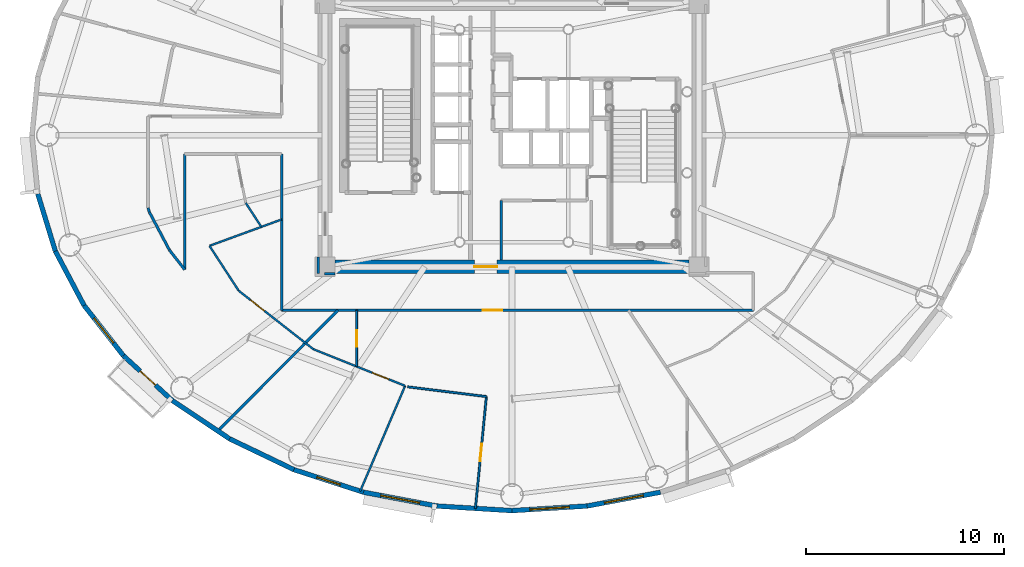
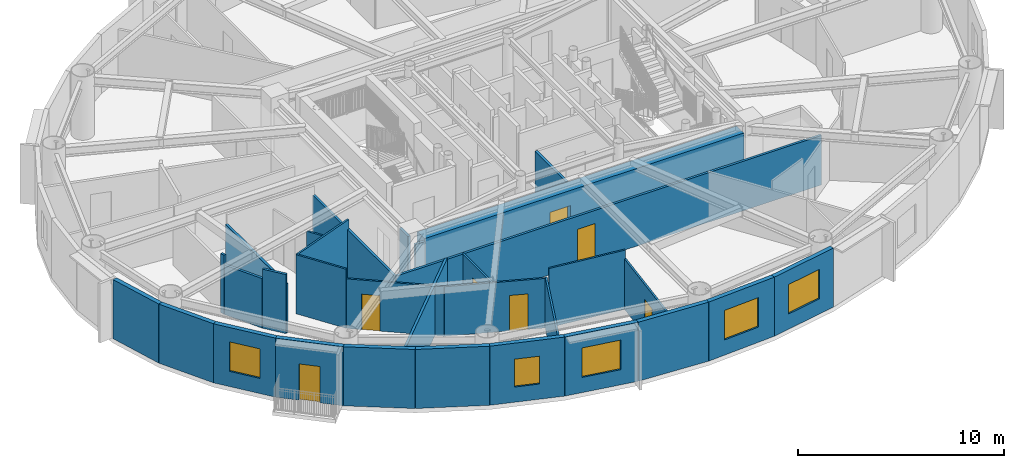
# One storey, part 8 of 19: 31 walls, 7 doors, 5 windows, 12 openings.
"""IFC4 building model written with IfcOpenShell, lengths in metres."""

from ifc_helpers import new_model, si_unit, direction, frame, frame_2d, origin, origin_2d, place, context, subcontext, project, spatial, rectangle, extrude, source, transform, mapped, material, layer, layer_set, type_object, element, fill, save


model = new_model("IFC4")

# Units and contexts
model_context = context("Model", 3, precision=1e-05, world=origin(), true_north=direction((0.0, 1.0)))
body_context = subcontext(model_context, "Body", "Model", "MODEL_VIEW")
ifc_project = project(units=[si_unit("LENGTHUNIT", "METRE"), si_unit("AREAUNIT", "SQUARE_METRE"), si_unit("VOLUMEUNIT", "CUBIC_METRE"), si_unit("PLANEANGLEUNIT", "RADIAN"), si_unit("MASSUNIT", "GRAM", prefix="KILO")], contexts=[model_context])

# Site, building, storey
site_placement = place(None, origin())
site = spatial("IfcSite", under=ifc_project, at=site_placement, CompositionType="ELEMENT")
building_placement = place(site_placement, origin())
building = spatial("IfcBuilding", under=site, at=building_placement, Name="Linh Dai School and Residence Tower", CompositionType="ELEMENT")
storey_placement = place(building_placement, frame((0.0, 0.0, 247.800048828125)))
storey = spatial("IfcBuildingStorey", under=building, at=storey_placement, Name="L61", CompositionType="ELEMENT", Elevation=247.800048828125)

# Walls
ifc_material_1 = material(Name="Precast Concrete B45 (C35/45)", Category="concrete")
ifc_layer_1 = layer(ifc_material_1, 0.239990234375)
ifc_layer_set_1 = layer_set([ifc_layer_1], Name="Precast Concrete B45 (C35/45)")
wall_type_1 = type_object("IfcWallType", Name="EW-TC-240", PredefinedType="SOLIDWALL", material=ifc_layer_set_1)
wall_1_placement = place(storey_placement, frame((12.90966796875, 21.14404296875, 0.0), z_axis=(0.0, 0.0, 1.0), x_axis=(-0.293132907334, 0.95607170162, 0.0)))
element("IfcWall", 1, at=wall_1_placement, inside=storey, type_object=wall_type_1, Name="L61 Terracotta Exterior Wall 22", PredefinedType="SOLIDWALL", context=body_context, shape_type="SweptSolid", body=[
    extrude(rectangle(XDim=3.02490234375, YDim=0.239990234375, at=frame_2d((1.512451171875, 0.0))), origin(), (0.0, 0.0, 1.0), 3.5),
])
wall_2_placement = place(storey_placement, frame((14.3642578125, 18.394775390625, 0.0), z_axis=(0.0, 0.0, 1.0), x_axis=(-0.46766049993, 0.883908172157, 0.0)))
element("IfcWall", 2, at=wall_2_placement, inside=storey, type_object=wall_type_1, Name="L61 Terracotta Exterior Wall 23", PredefinedType="SOLIDWALL", context=body_context, shape_type="SweptSolid", body=[
    extrude(rectangle(XDim=3.1103515625, YDim=0.239990234375, at=frame_2d((1.55517578125, 0.0))), origin(), (0.0, 0.0, 1.0), 3.5),
])

# Wall, opening, window
wall_3_placement = place(storey_placement, frame((16.3515625, 15.85546875, 0.0), z_axis=(0.0, 0.0, 1.0), x_axis=(-0.616312344705, 0.787501805562, 0.0)))
wall_3 = element("IfcWall", 3, at=wall_3_placement, inside=storey, type_object=wall_type_1, Name="L61 Terracotta Exterior Wall 24", PredefinedType="SOLIDWALL", context=body_context, shape_type="SweptSolid", body=[
    extrude(rectangle(XDim=3.224609375, YDim=0.239990234375, at=frame_2d((1.6123046875, 0.0))), origin(), (0.0, 0.0, 1.0), 3.5),
])
opening_1_placement = place(wall_3_placement, frame((0.81201171875, 0.0, 0.89990234375)))
opening_1 = element("IfcOpeningElement", 4, at=opening_1_placement, cuts=wall_3, Name="Opening W2", PredefinedType="OPENING", context=body_context, shape_type="SweptSolid", body=[
    extrude(rectangle(XDim=1.60009765625, YDim=1.75, at=origin_2d()), frame((0.800048828125, 0.1298828125, 0.875), z_axis=(0.0, -1.0, 0.0), x_axis=(1.0, 0.0, 0.0)), (0.0, 0.0, 1.0), 0.260009765625),
])
ifc_material_2 = material(Name="Double Low-E Insulated Glazing", Category="glass")
window_type_1 = type_object("IfcWindowType", Name="WN-RES-1600x1750", PartitioningType="DOUBLE_PANEL_VERTICAL", PredefinedType="WINDOW", material=ifc_material_2)
shared_shape_1 = source(origin(), body_context, "Body", "SweptSolid", [
    extrude(rectangle(XDim=1.60009765625, YDim=1.75, at=origin_2d()), frame((0.800048828125, 0.030029296875, 0.875), z_axis=(0.0, -1.0, 0.0), x_axis=(1.0, 0.0, 0.0)), (0.0, 0.0, 1.0), 0.06005859375),
])
window_1_placement = place(opening_1_placement, origin())
window_1 = element("IfcWindow", 5, at=window_1_placement, inside=storey, type_object=window_type_1, Name="L61 Exterior Window 24.1", OverallHeight=1.75, OverallWidth=1.60009765625, PartitioningType="DOUBLE_PANEL_VERTICAL", PredefinedType="WINDOW", context=body_context, shape_type="MappedRepresentation", body=[
    mapped(shared_shape_1, transform((0.0, 0.0, 0.0), x_axis=(1.0, 0.0, 0.0), y_axis=(0.0, 1.0, 0.0), z_axis=(0.0, 0.0, 1.0), scale=1.0)),
])
fill(opening_1, window_1)

# Wall, opening, door
wall_4_placement = place(storey_placement, frame((18.82373046875, 13.589111328125, 0.0), z_axis=(0.0, 0.0, 1.0), x_axis=(-0.737123922599, 0.675757591694, 0.0)))
wall_4 = element("IfcWall", 6, at=wall_4_placement, inside=storey, type_object=wall_type_1, Name="L61 Terracotta Exterior Wall 25", PredefinedType="SOLIDWALL", context=body_context, shape_type="SweptSolid", body=[
    extrude(rectangle(XDim=3.353759765625, YDim=0.239990234375, at=frame_2d((1.6767578125, 0.0))), origin(), (0.0, 0.0, 1.0), 3.5),
])
opening_2_placement = place(wall_4_placement, frame((1.15185546875, 0.0, 0.0)))
opening_2 = element("IfcOpeningElement", 7, at=opening_2_placement, cuts=wall_4, Name="Opening BD1", PredefinedType="OPENING", context=body_context, shape_type="SweptSolid", body=[
    extrude(rectangle(XDim=1.050048828125, YDim=2.14990234375, at=origin_2d()), frame((0.52490234375, 0.1298828125, 1.074951171875), z_axis=(0.0, -1.0, 0.0), x_axis=(1.0, 0.0, 0.0)), (0.0, 0.0, 1.0), 0.260009765625),
])
ifc_material_3 = material(Name="Double-Glazed Balcony Door", Category="glass")
door_type_1 = type_object("IfcDoorType", Name="DR-BALC-1050x2150", OperationType="NOTDEFINED", PredefinedType="DOOR", material=ifc_material_3)
shared_shape_2 = source(origin(), body_context, "Body", "SweptSolid", [
    extrude(rectangle(XDim=1.050048828125, YDim=2.14990234375, at=origin_2d()), frame((0.52490234375, 0.02490234375, 1.074951171875), z_axis=(0.0, -1.0, 0.0), x_axis=(1.0, 0.0, 0.0)), (0.0, 0.0, 1.0), 0.050048828125),
])
door_1_placement = place(opening_2_placement, origin())
door_1 = element("IfcDoor", 8, at=door_1_placement, inside=storey, type_object=door_type_1, Name="L61 Glazed Balcony Door 25", OperationType="SINGLE_SWING_RIGHT", OverallHeight=2.14990234375, OverallWidth=1.050048828125, PredefinedType="DOOR", context=body_context, shape_type="MappedRepresentation", body=[
    mapped(shared_shape_2, transform((0.0, 0.0, 0.0), x_axis=(1.0, 0.0, 0.0), y_axis=(0.0, 1.0, 0.0), z_axis=(0.0, 0.0, 1.0), scale=1.0)),
])
fill(opening_2, door_1)

# Walls
wall_5_placement = place(storey_placement, frame((21.719970703125, 11.65234375, 0.0), z_axis=(0.0, 0.0, 1.0), x_axis=(-0.831262496074, 0.555880079352, 0.0)))
element("IfcWall", 9, at=wall_5_placement, inside=storey, type_object=wall_type_1, Name="L61 Terracotta Exterior Wall 26", PredefinedType="SOLIDWALL", context=body_context, shape_type="SweptSolid", body=[
    extrude(rectangle(XDim=3.484130859375, YDim=0.239990234375, at=frame_2d((1.7421875, 0.0))), origin(), (0.0, 0.0, 1.0), 3.5),
])
wall_6_placement = place(storey_placement, frame((24.968994140625, 10.093505859375, 0.0), z_axis=(0.0, 0.0, 1.0), x_axis=(-0.901598104751, 0.432574684313, 0.0)))
element("IfcWall", 10, at=wall_6_placement, inside=storey, type_object=wall_type_1, Name="L61 Terracotta Exterior Wall 27", PredefinedType="SOLIDWALL", context=body_context, shape_type="SweptSolid", body=[
    extrude(rectangle(XDim=3.603515625, YDim=0.239990234375, at=frame_2d((1.8017578125, 0.0))), origin(), (0.0, 0.0, 1.0), 3.5),
])

# Wall, opening, window
wall_7_placement = place(storey_placement, frame((28.49072265625, 8.951171875, 0.0), z_axis=(0.0, 0.0, 1.0), x_axis=(-0.951210789182, 0.308541787354, 0.0)))
wall_7 = element("IfcWall", 11, at=wall_7_placement, inside=storey, type_object=wall_type_1, Name="L61 Terracotta Exterior Wall 28", PredefinedType="SOLIDWALL", context=body_context, shape_type="SweptSolid", body=[
    extrude(rectangle(XDim=3.702392578125, YDim=0.239990234375, at=frame_2d((1.85107421875, 0.0))), origin(), (0.0, 0.0, 1.0), 3.5),
])
opening_3_placement = place(wall_7_placement, frame((1.226318359375, 0.0, 0.89990234375)))
opening_3 = element("IfcOpeningElement", 12, at=opening_3_placement, cuts=wall_7, Name="Opening W3", PredefinedType="OPENING", context=body_context, shape_type="SweptSolid", body=[
    extrude(rectangle(XDim=1.25, YDim=1.64990234375, at=origin_2d()), frame((0.625, 0.1298828125, 0.824951171875), z_axis=(0.0, -1.0, 0.0), x_axis=(1.0, 0.0, 0.0)), (0.0, 0.0, 1.0), 0.260009765625),
])
window_type_2 = type_object("IfcWindowType", Name="WN-RES-1250x1650", PartitioningType="SINGLE_PANEL", PredefinedType="WINDOW", material=ifc_material_2)
shared_shape_3 = source(origin(), body_context, "Body", "SweptSolid", [
    extrude(rectangle(XDim=1.25, YDim=1.64990234375, at=origin_2d()), frame((0.625, 0.030029296875, 0.824951171875), z_axis=(0.0, -1.0, 0.0), x_axis=(1.0, 0.0, 0.0)), (0.0, 0.0, 1.0), 0.06005859375),
])
window_2_placement = place(opening_3_placement, origin())
window_2 = element("IfcWindow", 13, at=window_2_placement, inside=storey, type_object=window_type_2, Name="L61 Dwelling Window U6102-BD1", OverallHeight=1.64990234375, OverallWidth=1.25, PartitioningType="SINGLE_PANEL", PredefinedType="WINDOW", context=body_context, shape_type="MappedRepresentation", body=[
    mapped(shared_shape_3, transform((0.0, 0.0, 0.0), x_axis=(1.0, 0.0, 0.0), y_axis=(0.0, 1.0, 0.0), z_axis=(0.0, 0.0, 1.0), scale=1.0)),
])
fill(opening_3, window_2)

wall_8_placement = place(storey_placement, frame((32.198486328125, 8.254150390625, 0.0), z_axis=(0.0, 0.0, 1.0), x_axis=(-0.982784898575, 0.184753465822, 0.0)))
wall_8 = element("IfcWall", 14, at=wall_8_placement, inside=storey, type_object=wall_type_1, Name="L61 Terracotta Exterior Wall 29", PredefinedType="SOLIDWALL", context=body_context, shape_type="SweptSolid", body=[
    extrude(rectangle(XDim=3.772705078125, YDim=0.239990234375, at=frame_2d((1.88623046875, 0.0))), origin(), (0.0, 0.0, 1.0), 3.5),
])
opening_4_placement = place(wall_8_placement, frame((0.88623046875, 0.0, 0.89990234375)))
opening_4 = element("IfcOpeningElement", 15, at=opening_4_placement, cuts=wall_8, Name="Opening W1", PredefinedType="OPENING", context=body_context, shape_type="SweptSolid", body=[
    extrude(rectangle(XDim=2.0, YDim=1.75, at=origin_2d()), frame((1.0, 0.1298828125, 0.875), z_axis=(0.0, -1.0, 0.0), x_axis=(1.0, 0.0, 0.0)), (0.0, 0.0, 1.0), 0.260009765625),
])
window_type_3 = type_object("IfcWindowType", Name="WN-RES-2000x1750", PartitioningType="DOUBLE_PANEL_VERTICAL", PredefinedType="WINDOW", material=ifc_material_2)
shared_shape_4 = source(origin(), body_context, "Body", "SweptSolid", [
    extrude(rectangle(XDim=2.0, YDim=1.75, at=origin_2d()), frame((1.0, 0.030029296875, 0.875), z_axis=(0.0, -1.0, 0.0), x_axis=(1.0, 0.0, 0.0)), (0.0, 0.0, 1.0), 0.06005859375),
])
window_3_placement = place(opening_4_placement, origin())
window_3 = element("IfcWindow", 16, at=window_3_placement, inside=storey, type_object=window_type_3, Name="L61 Exterior Window 29.1", OverallHeight=1.75, OverallWidth=2.0, PartitioningType="DOUBLE_PANEL_VERTICAL", PredefinedType="WINDOW", context=body_context, shape_type="MappedRepresentation", body=[
    mapped(shared_shape_4, transform((0.0, 0.0, 0.0), x_axis=(1.0, 0.0, 0.0), y_axis=(0.0, 1.0, 0.0), z_axis=(0.0, 0.0, 1.0), scale=1.0)),
])
fill(opening_4, window_3)

# Wall
wall_9_placement = place(storey_placement, frame((36.0, 8.02001953125, 0.0), z_axis=(0.0, 0.0, 1.0), x_axis=(-0.998108785312, 0.06147237333, 0.0)))
element("IfcWall", 17, at=wall_9_placement, inside=storey, type_object=wall_type_1, Name="L61 Terracotta Exterior Wall 30", PredefinedType="SOLIDWALL", context=body_context, shape_type="SweptSolid", body=[
    extrude(rectangle(XDim=3.808837890625, YDim=0.239990234375, at=frame_2d((1.904296875, 0.0))), origin(), (0.0, 0.0, 1.0), 3.5),
])

# Wall, opening, window
wall_10_placement = place(storey_placement, frame((39.801513671875, 8.254150390625, 0.0), z_axis=(0.0, 0.0, 1.0), x_axis=(-0.998108785312, -0.06147237333, 0.0)))
wall_10 = element("IfcWall", 18, at=wall_10_placement, inside=storey, type_object=wall_type_1, Name="L61 Terracotta Exterior Wall 31", PredefinedType="SOLIDWALL", context=body_context, shape_type="SweptSolid", body=[
    extrude(rectangle(XDim=3.808837890625, YDim=0.239990234375, at=frame_2d((1.904296875, 0.0))), origin(), (0.0, 0.0, 1.0), 3.5),
])
opening_5_placement = place(wall_10_placement, frame((0.904541015625, 0.0, 0.89990234375)))
opening_5 = element("IfcOpeningElement", 19, at=opening_5_placement, cuts=wall_10, Name="Opening W1", PredefinedType="OPENING", context=body_context, shape_type="SweptSolid", body=[
    extrude(rectangle(XDim=2.0, YDim=1.75, at=origin_2d()), frame((1.0, 0.1298828125, 0.875), z_axis=(0.0, -1.0, 0.0), x_axis=(1.0, 0.0, 0.0)), (0.0, 0.0, 1.0), 0.260009765625),
])
window_4_placement = place(opening_5_placement, origin())
window_4 = element("IfcWindow", 20, at=window_4_placement, inside=storey, type_object=window_type_3, Name="L61 Exterior Window 31.1", OverallHeight=1.75, OverallWidth=2.0, PartitioningType="DOUBLE_PANEL_VERTICAL", PredefinedType="WINDOW", context=body_context, shape_type="MappedRepresentation", body=[
    mapped(shared_shape_4, transform((0.0, 0.0, 0.0), x_axis=(1.0, 0.0, 0.0), y_axis=(0.0, 1.0, 0.0), z_axis=(0.0, 0.0, 1.0), scale=1.0)),
])
fill(opening_5, window_4)

wall_11_placement = place(storey_placement, frame((43.50927734375, 8.951171875, 0.0), z_axis=(0.0, 0.0, 1.0), x_axis=(-0.982784898575, -0.184753465822, 0.0)))
wall_11 = element("IfcWall", 21, at=wall_11_placement, inside=storey, type_object=wall_type_1, Name="L61 Terracotta Exterior Wall 32", PredefinedType="SOLIDWALL", context=body_context, shape_type="SweptSolid", body=[
    extrude(rectangle(XDim=3.772705078125, YDim=0.239990234375, at=frame_2d((1.88623046875, 0.0))), origin(), (0.0, 0.0, 1.0), 3.5),
])
opening_6_placement = place(wall_11_placement, frame((0.88623046875, 0.0, 0.89990234375)))
opening_6 = element("IfcOpeningElement", 22, at=opening_6_placement, cuts=wall_11, Name="Opening W1", PredefinedType="OPENING", context=body_context, shape_type="SweptSolid", body=[
    extrude(rectangle(XDim=2.0, YDim=1.75, at=origin_2d()), frame((1.0, 0.1298828125, 0.875), z_axis=(0.0, -1.0, 0.0), x_axis=(1.0, 0.0, 0.0)), (0.0, 0.0, 1.0), 0.260009765625),
])
window_5_placement = place(opening_6_placement, origin())
window_5 = element("IfcWindow", 23, at=window_5_placement, inside=storey, type_object=window_type_3, Name="L61 Exterior Window 32.1", OverallHeight=1.75, OverallWidth=2.0, PartitioningType="DOUBLE_PANEL_VERTICAL", PredefinedType="WINDOW", context=body_context, shape_type="MappedRepresentation", body=[
    mapped(shared_shape_4, transform((0.0, 0.0, 0.0), x_axis=(1.0, 0.0, 0.0), y_axis=(0.0, 1.0, 0.0), z_axis=(0.0, 0.0, 1.0), scale=1.0)),
])
fill(opening_6, window_5)

# Walls
ifc_material_4 = material(Name="Autoclaved Aerated Concrete Blockwork", Category="masonry")
ifc_layer_2 = layer(ifc_material_4, 0.135009765625)
ifc_layer_set_2 = layer_set([ifc_layer_2], Name="Autoclaved Aerated Concrete Blockwork")
wall_type_2 = type_object("IfcWallType", Name="IW-CORR-135-EI90", PredefinedType="PARTITIONING", material=ifc_layer_set_2)
wall_12_placement = place(storey_placement, frame((17.60009765625, 23.327880859375, 0.0), z_axis=(0.0, 0.0, 1.0), x_axis=(0.292875000845, -0.956150738053, 0.0)))
element("IfcWall", 24, at=wall_12_placement, inside=storey, type_object=wall_type_2, Name="L61 Interior Partition Wall 004", PredefinedType="PARTITIONING", context=body_context, shape_type="SweptSolid", body=[
    extrude(rectangle(XDim=0.226806640625, YDim=0.135009765625, at=frame_2d((0.11328125, 0.0))), origin(), (0.0, 0.0, 1.0), 3.5),
])
wall_13_placement = place(storey_placement, frame((17.66650390625, 23.111083984375, 0.0), z_axis=(0.0, 0.0, 1.0), x_axis=(0.467675622269, -0.883900171024, 0.0)))
element("IfcWall", 25, at=wall_13_placement, inside=storey, type_object=wall_type_2, Name="L61 Interior Partition Wall 006", PredefinedType="PARTITIONING", context=body_context, shape_type="SweptSolid", body=[
    extrude(rectangle(XDim=2.16845703125, YDim=0.135009765625, at=frame_2d((1.084228515625, 0.0))), origin(), (0.0, 0.0, 1.0), 2.93505859375),
])
wall_14_placement = place(storey_placement, frame((18.6806640625, 21.1943359375, 0.0), z_axis=(0.0, 0.0, 1.0), x_axis=(0.616239706802, -0.787558647823, 0.0)))
element("IfcWall", 26, at=wall_14_placement, inside=storey, type_object=wall_type_2, Name="L61 Interior Partition Wall 008", PredefinedType="PARTITIONING", context=body_context, shape_type="SweptSolid", body=[
    extrude(rectangle(XDim=1.248291015625, YDim=0.135009765625, at=frame_2d((0.6240234375, 0.0))), origin(), (0.0, 0.0, 1.0), 3.5),
])
wall_15_placement = place(storey_placement, frame((19.449951171875, 20.211181640625, 0.0), z_axis=(0.0, 0.0, 1.0), x_axis=(0.0, 1.0, 0.0)))
element("IfcWall", 27, at=wall_15_placement, inside=storey, type_object=wall_type_2, Name="L61 Interior Partition Wall 010", PredefinedType="PARTITIONING", context=body_context, shape_type="SweptSolid", body=[
    extrude(rectangle(XDim=5.8388671875, YDim=0.135009765625, at=frame_2d((2.91943359375, 0.0))), origin(), (0.0, 0.0, 1.0), 2.93505859375),
])
wall_16_placement = place(storey_placement, frame((21.124267578125, 12.044677734375, 0.0), z_axis=(0.0, 0.0, 1.0), x_axis=(0.70521888308, 0.708989652215, 0.0)))
element("IfcWall", 28, at=wall_16_placement, inside=storey, type_object=wall_type_2, Name="L61 Interior Partition Wall 014", PredefinedType="PARTITIONING", context=body_context, shape_type="SweptSolid", body=[
    extrude(rectangle(XDim=8.611083984375, YDim=0.135009765625, at=frame_2d((4.3056640625, 0.0))), origin(), (0.0, 0.0, 1.0), 2.98486328125),
])
wall_17_placement = place(storey_placement, frame((24.35009765625, 18.14990234375, 0.0), z_axis=(0.0, 0.0, 1.0), x_axis=(0.0, 1.0, 0.0)))
element("IfcWall", 29, at=wall_17_placement, inside=storey, type_object=wall_type_2, Name="L61 Interior Partition Wall 019", PredefinedType="PARTITIONING", context=body_context, shape_type="SweptSolid", body=[
    extrude(rectangle(XDim=7.900146484375, YDim=0.135009765625, at=frame_2d((3.9501953125, 0.0))), origin(), (0.0, 0.0, 1.0), 2.93505859375),
])

# Wall, opening, door
wall_18_placement = place(storey_placement, frame((24.35009765625, 18.14990234375, 0.0), z_axis=(0.0, 0.0, 1.0), x_axis=(1.0, 0.0, 0.0)))
wall_18 = element("IfcWall", 30, at=wall_18_placement, inside=storey, type_object=wall_type_2, Name="L61 Interior Partition Wall 020", PredefinedType="PARTITIONING", context=body_context, shape_type="SweptSolid", body=[
    extrude(rectangle(XDim=23.849853515625, YDim=0.135009765625, at=frame_2d((11.9248046875, 0.0))), origin(), (0.0, 0.0, 1.0), 2.93505859375),
])
opening_7_placement = place(wall_18_placement, frame((10.167724609375, 0.0, 0.0)))
opening_7 = element("IfcOpeningElement", 31, at=opening_7_placement, cuts=wall_18, Name="Opening D03", PredefinedType="OPENING", context=body_context, shape_type="SweptSolid", body=[
    extrude(rectangle(XDim=1.0, YDim=2.14990234375, at=origin_2d()), frame((0.5, 0.07763671875, 1.074951171875), z_axis=(0.0, -1.0, 0.0), x_axis=(1.0, 0.0, 0.0)), (0.0, 0.0, 1.0), 0.155029296875),
])
ifc_material_5 = material(Name="Fire-Rated Solid Timber Entrance Door", Category="wood")
door_type_2 = type_object("IfcDoorType", Name="DR-FLAT-1000x2150-FD60S", OperationType="NOTDEFINED", PredefinedType="DOOR", material=ifc_material_5)
shared_shape_5 = source(origin(), body_context, "Body", "SweptSolid", [
    extrude(rectangle(XDim=1.0, YDim=2.14990234375, at=origin_2d()), frame((0.5, 0.02490234375, 1.074951171875), z_axis=(0.0, -1.0, 0.0), x_axis=(1.0, 0.0, 0.0)), (0.0, 0.0, 1.0), 0.050048828125),
])
door_2_placement = place(opening_7_placement, origin())
door_2 = element("IfcDoor", 32, at=door_2_placement, inside=storey, type_object=door_type_2, Name="L61 U6102 Apartment Entrance Door", OperationType="SINGLE_SWING_RIGHT", OverallHeight=2.14990234375, OverallWidth=1.0, PredefinedType="DOOR", context=body_context, shape_type="MappedRepresentation", body=[
    mapped(shared_shape_5, transform((0.0, 0.0, 0.0), x_axis=(1.0, 0.0, 0.0), y_axis=(0.0, 1.0, 0.0), z_axis=(0.0, 0.0, 1.0), scale=1.0)),
])
fill(opening_7, door_2)

# Walls
wall_19_placement = place(storey_placement, frame((35.449951171875, 20.699951171875, 0.0), z_axis=(0.0, 0.0, 1.0), x_axis=(0.0, 1.0, 0.0)))
element("IfcWall", 33, at=wall_19_placement, inside=storey, type_object=wall_type_2, Name="L61 Interior Partition Wall 045", PredefinedType="PARTITIONING", context=body_context, shape_type="SweptSolid", body=[
    extrude(rectangle(XDim=3.0, YDim=0.135009765625, at=frame_2d((1.5, 0.0))), origin(), (0.0, 0.0, 1.0), 3.0849609375),
])
wall_20_placement = place(storey_placement, frame((26.199951171875, 20.840087890625, 0.0), z_axis=(0.0, 0.0, 1.0), x_axis=(0.0, -1.0, 0.0)))
element("IfcWall", 34, at=wall_20_placement, inside=storey, type_object=wall_type_2, Name="L61 Interior Partition Wall 094", PredefinedType="PARTITIONING", context=body_context, shape_type="SweptSolid", body=[
    extrude(rectangle(XDim=0.840087890625, YDim=0.135009765625, at=frame_2d((0.419921875, 0.0))), origin(), (0.0, 0.0, 1.0), 3.5),
])
wall_21_placement = place(storey_placement, frame((26.507568359375, 20.0, 0.0), z_axis=(0.0, 0.0, 1.0), x_axis=(1.0, 0.0, 0.0)))
element("IfcWall", 35, at=wall_21_placement, inside=storey, type_object=wall_type_2, Name="L61 Interior Partition Wall 095", PredefinedType="PARTITIONING", context=body_context, shape_type="SweptSolid", body=[
    extrude(rectangle(XDim=0.532470703125, YDim=0.135009765625, at=frame_2d((0.26611328125, 0.0))), origin(), (0.0, 0.0, 1.0), 2.93505859375),
])
ifc_material_6 = material(Name="Gypsum Plasterboard Acoustic Stud Partition", Category="masonry")
ifc_layer_3 = layer(ifc_material_6, 0.10009765625)
ifc_layer_set_3 = layer_set([ifc_layer_3], Name="Gypsum Plasterboard Acoustic Stud Partition")
wall_type_3 = type_object("IfcWallType", Name="IW-UNIT-100", PredefinedType="PARTITIONING", material=ifc_layer_set_3)
wall_22_placement = place(storey_placement, frame((20.704345703125, 21.40966796875, 0.0), z_axis=(0.0, 0.0, 1.0), x_axis=(0.545431767871, -0.838155228223, 0.0)))
element("IfcWall", 36, at=wall_22_placement, inside=storey, type_object=wall_type_3, Name="L61 Interior Partition Wall 012", PredefinedType="PARTITIONING", context=body_context, shape_type="SweptSolid", body=[
    extrude(rectangle(XDim=2.708984375, YDim=0.10009765625, at=frame_2d((1.3544921875, 0.0))), origin(), (0.0, 0.0, 1.0), 3.5),
])
wall_23_placement = place(storey_placement, frame((20.704345703125, 21.40966796875, 0.0), z_axis=(0.0, 0.0, 1.0), x_axis=(0.939230218299, 0.343287921481, 0.0)))
element("IfcWall", 37, at=wall_23_placement, inside=storey, type_object=wall_type_3, Name="L61 Interior Partition Wall 013", PredefinedType="PARTITIONING", context=body_context, shape_type="SweptSolid", body=[
    extrude(rectangle(XDim=3.881591796875, YDim=0.10009765625, at=frame_2d((1.94091796875, 0.0))), origin(), (0.0, 0.0, 1.0), 3.5),
])

# Wall, opening, door
wall_24_placement = place(storey_placement, frame((22.181884765625, 19.13916015625, 0.0), z_axis=(0.0, 0.0, 1.0), x_axis=(0.787386902975, -0.616459134917, 0.0)))
wall_24 = element("IfcWall", 38, at=wall_24_placement, inside=storey, type_object=wall_type_3, Name="L61 Interior Partition Wall 016", PredefinedType="PARTITIONING", context=body_context, shape_type="SweptSolid", body=[
    extrude(rectangle(XDim=4.799072265625, YDim=0.10009765625, at=frame_2d((2.3994140625, 0.0))), origin(), (0.0, 0.0, 1.0), 2.93505859375),
])
opening_8_placement = place(wall_24_placement, frame((0.756591796875, 0.0, 0.0)))
opening_8 = element("IfcOpeningElement", 39, at=opening_8_placement, cuts=wall_24, Name="Opening D05", PredefinedType="OPENING", context=body_context, shape_type="SweptSolid", body=[
    extrude(rectangle(XDim=0.89990234375, YDim=2.10009765625, at=origin_2d()), frame((0.449951171875, 0.06005859375, 1.050048828125), z_axis=(0.0, -1.0, 0.0), x_axis=(1.0, 0.0, 0.0)), (0.0, 0.0, 1.0), 0.1201171875),
])
ifc_material_7 = material(Name="Engineered Timber Internal Door", Category="wood")
door_type_3 = type_object("IfcDoorType", Name="DR-INT-900x2100", OperationType="NOTDEFINED", PredefinedType="DOOR", material=ifc_material_7)
shared_shape_6 = source(origin(), body_context, "Body", "SweptSolid", [
    extrude(rectangle(XDim=0.89990234375, YDim=2.10009765625, at=origin_2d()), frame((0.449951171875, 0.02490234375, 1.050048828125), z_axis=(0.0, -1.0, 0.0), x_axis=(1.0, 0.0, 0.0)), (0.0, 0.0, 1.0), 0.050048828125),
])
door_3_placement = place(opening_8_placement, origin())
door_3 = element("IfcDoor", 40, at=door_3_placement, inside=storey, type_object=door_type_3, Name="L61 Apartment U6101 Kitchen Door", OperationType="SINGLE_SWING_LEFT", OverallHeight=2.10009765625, OverallWidth=0.89990234375, PredefinedType="DOOR", context=body_context, shape_type="MappedRepresentation", body=[
    mapped(shared_shape_6, transform((0.0, 0.0, 0.0), x_axis=(1.0, 0.0, 0.0), y_axis=(0.0, 1.0, 0.0), z_axis=(0.0, 0.0, 1.0), scale=1.0)),
])
fill(opening_8, door_3)

# Wall
wall_25_placement = place(storey_placement, frame((22.540771484375, 23.575927734375, 0.0), z_axis=(0.0, 0.0, 1.0), x_axis=(0.545399208044, -0.838176415717, 0.0)))
element("IfcWall", 41, at=wall_25_placement, inside=storey, type_object=wall_type_3, Name="L61 Interior Partition Wall 017", PredefinedType="PARTITIONING", context=body_context, shape_type="SweptSolid", body=[
    extrude(rectangle(XDim=1.44091796875, YDim=0.10009765625, at=frame_2d((0.720458984375, 0.0))), origin(), (0.0, 0.0, 1.0), 2.93505859375),
])

# Wall, opening, door
wall_26_placement = place(storey_placement, frame((25.960693359375, 16.1806640625, 0.0), z_axis=(0.0, 0.0, 1.0), x_axis=(0.928800189679, -0.370580905678, 0.0)))
wall_26 = element("IfcWall", 42, at=wall_26_placement, inside=storey, type_object=wall_type_3, Name="L61 Interior Partition Wall 024", PredefinedType="PARTITIONING", context=body_context, shape_type="SweptSolid", body=[
    extrude(rectangle(XDim=4.9912109375, YDim=0.10009765625, at=frame_2d((2.49560546875, 0.0))), origin(), (0.0, 0.0, 1.0), 2.93505859375),
])
opening_9_placement = place(wall_26_placement, frame((3.20068359375, 0.0, 0.0)))
opening_9 = element("IfcOpeningElement", 43, at=opening_9_placement, cuts=wall_26, Name="Opening D05", PredefinedType="OPENING", context=body_context, shape_type="SweptSolid", body=[
    extrude(rectangle(XDim=0.89990234375, YDim=2.10009765625, at=origin_2d()), frame((0.449951171875, 0.06005859375, 1.050048828125), z_axis=(0.0, -1.0, 0.0), x_axis=(1.0, 0.0, 0.0)), (0.0, 0.0, 1.0), 0.1201171875),
])
door_4_placement = place(opening_9_placement, origin())
door_4 = element("IfcDoor", 44, at=door_4_placement, inside=storey, type_object=door_type_3, Name="L61 Apartment U6102 Principal Bedroom 1 Door", OperationType="SINGLE_SWING_LEFT", OverallHeight=2.10009765625, OverallWidth=0.89990234375, PredefinedType="DOOR", context=body_context, shape_type="MappedRepresentation", body=[
    mapped(shared_shape_6, transform((0.0, 0.0, 0.0), x_axis=(1.0, 0.0, 0.0), y_axis=(0.0, 1.0, 0.0), z_axis=(0.0, 0.0, 1.0), scale=1.0)),
])
fill(opening_9, door_4)

wall_27_placement = place(storey_placement, frame((28.1435546875, 15.3095703125, 0.0), z_axis=(0.0, 0.0, 1.0), x_axis=(0.0, 1.0, 0.0)))
wall_27 = element("IfcWall", 45, at=wall_27_placement, inside=storey, type_object=wall_type_3, Name="L61 Interior Partition Wall 027", PredefinedType="PARTITIONING", context=body_context, shape_type="SweptSolid", body=[
    extrude(rectangle(XDim=2.84033203125, YDim=0.10009765625, at=frame_2d((1.420166015625, 0.0))), origin(), (0.0, 0.0, 1.0), 2.93505859375),
])
opening_10_placement = place(wall_27_placement, frame((1.01025390625, 0.0, 0.0)))
opening_10 = element("IfcOpeningElement", 46, at=opening_10_placement, cuts=wall_27, Name="Opening D06", PredefinedType="OPENING", context=body_context, shape_type="SweptSolid", body=[
    extrude(rectangle(XDim=0.820068359375, YDim=2.10009765625, at=origin_2d()), frame((0.41015625, 0.06005859375, 1.050048828125), z_axis=(0.0, -1.0, 0.0), x_axis=(1.0, 0.0, 0.0)), (0.0, 0.0, 1.0), 0.1201171875),
])
ifc_material_8 = material(Name="Moisture-Resistant Timber Bathroom Door", Category="wood")
door_type_4 = type_object("IfcDoorType", Name="DR-WET-820x2100", OperationType="NOTDEFINED", PredefinedType="DOOR", material=ifc_material_8)
shared_shape_7 = source(origin(), body_context, "Body", "SweptSolid", [
    extrude(rectangle(XDim=0.820068359375, YDim=2.10009765625, at=origin_2d()), frame((0.41015625, 0.02490234375, 1.050048828125), z_axis=(0.0, -1.0, 0.0), x_axis=(1.0, 0.0, 0.0)), (0.0, 0.0, 1.0), 0.050048828125),
])
door_5_placement = place(opening_10_placement, origin())
door_5 = element("IfcDoor", 47, at=door_5_placement, inside=storey, type_object=door_type_4, Name="L61 Apartment U6102 Bathroom 1 Door", OperationType="SINGLE_SWING_LEFT", OverallHeight=2.10009765625, OverallWidth=0.820068359375, PredefinedType="DOOR", context=body_context, shape_type="MappedRepresentation", body=[
    mapped(shared_shape_7, transform((0.0, 0.0, 0.0), x_axis=(1.0, 0.0, 0.0), y_axis=(0.0, 1.0, 0.0), z_axis=(0.0, 0.0, 1.0), scale=1.0)),
])
fill(opening_10, door_5)

# Walls
wall_28_placement = place(storey_placement, frame((28.32275390625, 9.00048828125, 0.0), z_axis=(0.0, 0.0, 1.0), x_axis=(0.39233746538, 0.919821348556, 0.0)))
element("IfcWall", 48, at=wall_28_placement, inside=storey, type_object=wall_type_3, Name="L61 Interior Partition Wall 028", PredefinedType="PARTITIONING", context=body_context, shape_type="SweptSolid", body=[
    extrude(rectangle(XDim=5.795166015625, YDim=0.10009765625, at=frame_2d((2.8974609375, 0.0))), origin(), (0.0, 0.0, 1.0), 2.98486328125),
])
wall_29_placement = place(storey_placement, frame((30.721923828125, 14.281005859375, 0.0), z_axis=(0.0, 0.0, 1.0), x_axis=(0.992399982783, -0.123053948218, 0.0)))
element("IfcWall", 49, at=wall_29_placement, inside=storey, type_object=wall_type_3, Name="L61 Interior Partition Wall 029", PredefinedType="PARTITIONING", context=body_context, shape_type="SweptSolid", body=[
    extrude(rectangle(XDim=4.013671875, YDim=0.10009765625, at=frame_2d((2.0068359375, 0.0))), origin(), (0.0, 0.0, 1.0), 3.5),
])

# Wall, opening, door
wall_30_placement = place(storey_placement, frame((34.150634765625, 8.12890625, 0.0), z_axis=(0.0, 0.0, 1.0), x_axis=(0.097522218383, 0.995233347975, 0.0)))
wall_30 = element("IfcWall", 50, at=wall_30_placement, inside=storey, type_object=wall_type_3, Name="L61 Interior Partition Wall 038", PredefinedType="PARTITIONING", context=body_context, shape_type="SweptSolid", body=[
    extrude(rectangle(XDim=5.685302734375, YDim=0.10009765625, at=frame_2d((2.8427734375, 0.0))), origin(), (0.0, 0.0, 1.0), 2.98486328125),
])
opening_11_placement = place(wall_30_placement, frame((2.392578125, 0.0, 0.0)))
opening_11 = element("IfcOpeningElement", 51, at=opening_11_placement, cuts=wall_30, Name="Opening D05", PredefinedType="OPENING", context=body_context, shape_type="SweptSolid", body=[
    extrude(rectangle(XDim=0.89990234375, YDim=2.10009765625, at=origin_2d()), frame((0.449951171875, 0.06005859375, 1.050048828125), z_axis=(0.0, -1.0, 0.0), x_axis=(1.0, 0.0, 0.0)), (0.0, 0.0, 1.0), 0.1201171875),
])
door_6_placement = place(opening_11_placement, origin())
door_6 = element("IfcDoor", 52, at=door_6_placement, inside=storey, type_object=door_type_3, Name="L61 Apartment U6102 Study Door", OperationType="SINGLE_SWING_RIGHT", OverallHeight=2.10009765625, OverallWidth=0.89990234375, PredefinedType="DOOR", context=body_context, shape_type="MappedRepresentation", body=[
    mapped(shared_shape_6, transform((0.0, 0.0, 0.0), x_axis=(1.0, 0.0, 0.0), y_axis=(0.0, 1.0, 0.0), z_axis=(0.0, 0.0, 1.0), scale=1.0)),
])
fill(opening_11, door_6)

ifc_material_9 = material(Name="Concrete B45 (C35/45)", Category="concrete")
ifc_layer_4 = layer(ifc_material_9, 0.699951171875)
ifc_layer_set_4 = layer_set([ifc_layer_4], Name="Concrete B45 (C35/45)")
wall_type_4 = type_object("IfcWallType", Name="WL-CORE700", PredefinedType="SHEAR", material=ifc_layer_set_4)
wall_31_placement = place(storey_placement, frame((44.949951171875, 20.35009765625, 0.0), z_axis=(0.0, 0.0, 1.0), x_axis=(-1.0, 0.0, 0.0)))
wall_31 = element("IfcWall", 53, at=wall_31_placement, inside=storey, type_object=wall_type_4, Name="L61 Central Core Shear Wall S", PredefinedType="SHEAR", context=body_context, shape_type="SweptSolid", body=[
    extrude(rectangle(XDim=17.89990234375, YDim=0.699951171875, at=frame_2d((8.949951171875, 0.0))), origin(), (0.0, 0.0, 1.0), 3.050048828125),
])
opening_12_placement = place(wall_31_placement, frame((9.699951171875, 0.0, 0.0)))
opening_12 = element("IfcOpeningElement", 54, at=opening_12_placement, cuts=wall_31, Name="Opening D02", PredefinedType="OPENING", context=body_context, shape_type="SweptSolid", body=[
    extrude(rectangle(XDim=1.14990234375, YDim=2.14990234375, at=origin_2d()), frame((0.574951171875, 0.35986328125, 1.074951171875), z_axis=(0.0, -1.0, 0.0), x_axis=(1.0, 0.0, 0.0)), (0.0, 0.0, 1.0), 0.719970703125),
])
ifc_material_10 = material(Name="Fire-Rated Glazed Steel Lobby Door", Category="steel")
door_type_5 = type_object("IfcDoorType", Name="DR-LOBBY-1150x2150-FD90S", OperationType="NOTDEFINED", PredefinedType="DOOR", material=ifc_material_10)
shared_shape_8 = source(origin(), body_context, "Body", "SweptSolid", [
    extrude(rectangle(XDim=1.14990234375, YDim=2.14990234375, at=origin_2d()), frame((0.574951171875, 0.02490234375, 1.074951171875), z_axis=(0.0, -1.0, 0.0), x_axis=(1.0, 0.0, 0.0)), (0.0, 0.0, 1.0), 0.050048828125),
])
door_7_placement = place(opening_12_placement, origin())
door_7 = element("IfcDoor", 55, at=door_7_placement, inside=storey, type_object=door_type_5, Name="L61 Passenger Foyer Access Door", OperationType="SINGLE_SWING_RIGHT", OverallHeight=2.14990234375, OverallWidth=1.14990234375, PredefinedType="DOOR", context=body_context, shape_type="MappedRepresentation", body=[
    mapped(shared_shape_8, transform((0.0, 0.0, 0.0), x_axis=(1.0, 0.0, 0.0), y_axis=(0.0, 1.0, 0.0), z_axis=(0.0, 0.0, 1.0), scale=1.0)),
])
fill(opening_12, door_7)

save(model, "model.ifc")
